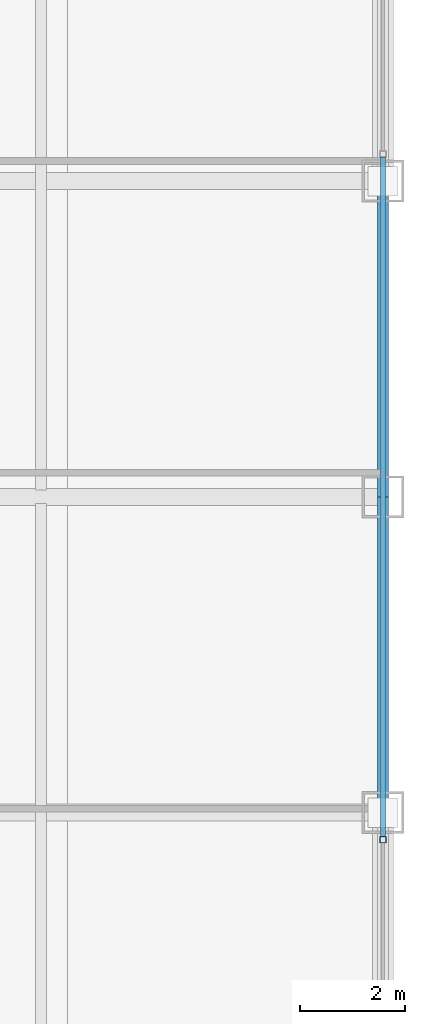
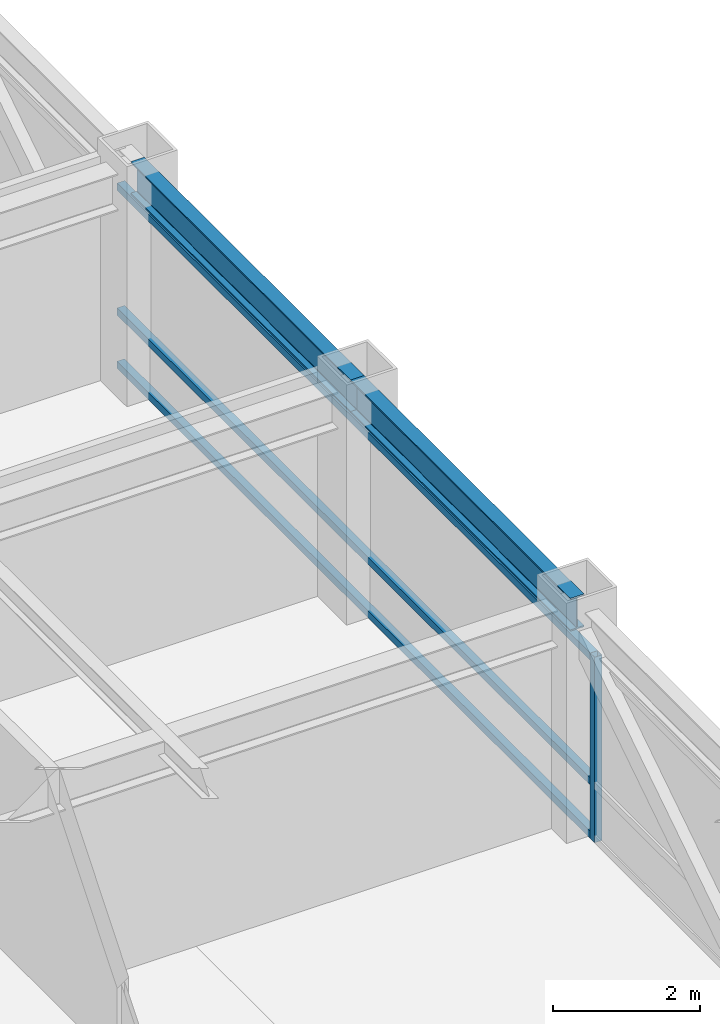
# One storey, part 14 of 29: 4 members, 2 beams, 1 element without a shape of its own.
"""IFC4 building model written with IfcOpenShell, lengths in metres."""

from ifc_helpers import new_model, si_unit, direction, frame, origin, origin_2d, place, context, subcontext, project, spatial, hollow_rectangle, i_section, extrude, source, transform, mapped, material, material_profile, profile_set, type_object, element, aggregate, save


model = new_model("IFC4")

# Units and contexts
model_context = context("Model", 3, precision=1e-05, world=origin(), true_north=direction((0.0, 1.0)))
body_context = subcontext(model_context, "Body", "Model", "MODEL_VIEW")
ifc_project = project(units=[si_unit("LENGTHUNIT", "METRE"), si_unit("AREAUNIT", "SQUARE_METRE"), si_unit("VOLUMEUNIT", "CUBIC_METRE"), si_unit("PLANEANGLEUNIT", "RADIAN"), si_unit("MASSUNIT", "GRAM", prefix="KILO")], contexts=[model_context])

# Site, building, storey
site_placement = place(None, origin())
site = spatial("IfcSite", under=ifc_project, at=site_placement, CompositionType="ELEMENT")
building_placement = place(site_placement, origin())
building = spatial("IfcBuilding", under=site, at=building_placement, Name="Khorayat Bourse Tower", CompositionType="ELEMENT")
storey_placement = place(building_placement, frame((0.0, 0.0, 354.300048828125)))
storey = spatial("IfcBuildingStorey", under=building, at=storey_placement, Name="L84", CompositionType="ELEMENT", Elevation=354.300048828125)

# Beams
ifc_material_1 = material(Name="Steel ASTM A992 Grade 50", Category="steel")
ifc_material_profile_1 = material_profile(ifc_material_1, i_section(OverallWidth=0.214111328125, OverallDepth=0.549072265625, WebThickness=0.0146484375, FlangeThickness=0.023681640625, FilletRadius=0.013916015625, at=origin_2d()), Name="W530X138")
ifc_profile_set_1 = profile_set([ifc_material_profile_1], Name="Steel ASTM A992 Grade 50")
beam_type = type_object("IfcBeamType", Name="BM-SPAN-530", PredefinedType="SPANDREL", material=ifc_profile_set_1)
shared_shape_1 = source(origin(), body_context, "Body", "SweptSolid", [
    extrude(i_section(OverallWidth=0.214111328125, OverallDepth=0.549072265625, WebThickness=0.0146484375, FlangeThickness=0.023681640625, FilletRadius=0.013916015625, at=origin_2d()), origin(), (0.0, 0.0, 1.0), 6.0),
])
for number, where, z_axis, x_axis, name in (
    (1, (26.0, -6.0, 3.46533203125), (0.0, 1.0, 0.0), (-1.0, 0.0, 0.0), "L84 BM-SPAN-530 BM-L84-SPN-034"),
    (2, (26.0, 0.0, 3.46533203125), (0.0, 1.0, 0.0), (-1.0, 0.0, 0.0), "L84 BM-SPAN-530 BM-L84-SPN-035"),
):
    element("IfcBeam", number, at=place(storey_placement, frame(where, z_axis=z_axis, x_axis=x_axis)), inside=storey, type_object=beam_type, Name=name, PredefinedType="SPANDREL", context=body_context, shape_type="MappedRepresentation", body=[
        mapped(shared_shape_1, transform((0.0, 0.0, 0.0), scale=1.0)),
    ])

# Curtain wall, members
ifc_material_2 = material(Name="Aluminium EN AW-6063 T6", Category="aluminium")
curtain_wall_type = type_object("IfcCurtainWallType", Name="CW-SYS-06", PredefinedType="NOTDEFINED", material=ifc_material_2)
curtain_wall_placement = place(storey_placement, origin())
curtain_wall = element("IfcCurtainWall", 3, at=curtain_wall_placement, inside=storey, type_object=curtain_wall_type, Name="L84 Curtain Wall CW-L84-E1", PredefinedType="NOTDEFINED")
ifc_material_profile_2 = material_profile(ifc_material_2, hollow_rectangle(XDim=0.1201171875, YDim=0.1201171875, WallThickness=0.0048828125, at=origin_2d()), Name="ALU 120x120x5")
ifc_profile_set_2 = profile_set([ifc_material_profile_2], Name="Aluminium EN AW-6063 T6")
member_type_1 = type_object("IfcMemberType", Name="CWM-VERT-120", PredefinedType="MULLION", material=ifc_profile_set_2)
shared_shape_2 = source(origin(), body_context, "Body", "SweptSolid", [
    extrude(hollow_rectangle(XDim=0.1201171875, YDim=0.1201171875, WallThickness=0.0048828125, at=origin_2d()), origin(), (0.0, 0.0, 1.0), 3.08984375),
])
member_1_placement = place(storey_placement, frame((26.0, -6.5166015625, 0.0), z_axis=(0.0, 0.0, 1.0), x_axis=(-1.0, 0.0, 0.0)))
member_1 = element("IfcMember", 4, at=member_1_placement, type_object=member_type_1, Name="CW-L84-E1 Vertical Mullion 2", PredefinedType="MULLION", context=body_context, shape_type="MappedRepresentation", body=[
    mapped(shared_shape_2, transform((0.0, 0.0, 0.0), scale=1.0)),
])
ifc_material_profile_3 = material_profile(ifc_material_2, hollow_rectangle(XDim=0.1201171875, YDim=0.1201171875, WallThickness=0.0048828125, at=origin_2d()), Name="ALU 120x120x5")
ifc_profile_set_3 = profile_set([ifc_material_profile_3], Name="Aluminium EN AW-6063 T6")
member_type_2 = type_object("IfcMemberType", Name="CWT-HORZ-120", PredefinedType="USERDEFINED", material=ifc_profile_set_3)
shared_shape_3 = source(origin(), body_context, "Body", "SweptSolid", [
    extrude(hollow_rectangle(XDim=0.1201171875, YDim=0.1201171875, WallThickness=0.0048828125, at=origin_2d()), origin(), (0.0, 0.0, 1.0), 12.91357421875),
])
member_2_placement = place(storey_placement, frame((26.0, -6.456787109375, 0.06005859375), z_axis=(0.0, 1.0, 0.0), x_axis=(-1.0, 0.0, 0.0)))
member_2 = element("IfcMember", 5, at=member_2_placement, type_object=member_type_2, Name="CW-L84-E1 Horizontal Transom 2-1", ObjectType="TRANSOM", PredefinedType="USERDEFINED", context=body_context, shape_type="MappedRepresentation", body=[
    mapped(shared_shape_3, transform((0.0, 0.0, 0.0), scale=1.0)),
])
member_3_placement = place(storey_placement, frame((26.0, -6.456787109375, 0.949951171875), z_axis=(0.0, 1.0, 0.0), x_axis=(-1.0, 0.0, 0.0)))
member_3 = element("IfcMember", 6, at=member_3_placement, type_object=member_type_2, Name="CW-L84-E1 Horizontal Transom 2-2", ObjectType="TRANSOM", PredefinedType="USERDEFINED", context=body_context, shape_type="MappedRepresentation", body=[
    mapped(shared_shape_3, transform((0.0, 0.0, 0.0), scale=1.0)),
])
member_4_placement = place(storey_placement, frame((26.0, -6.456787109375, 3.030029296875), z_axis=(0.0, 1.0, 0.0), x_axis=(-1.0, 0.0, 0.0)))
member_4 = element("IfcMember", 7, at=member_4_placement, type_object=member_type_2, Name="CW-L84-E1 Horizontal Transom 2-3", ObjectType="TRANSOM", PredefinedType="USERDEFINED", context=body_context, shape_type="MappedRepresentation", body=[
    mapped(shared_shape_3, transform((0.0, 0.0, 0.0), scale=1.0)),
])
aggregate(curtain_wall, [member_1, member_2, member_3, member_4])

save(model, "model.ifc")
